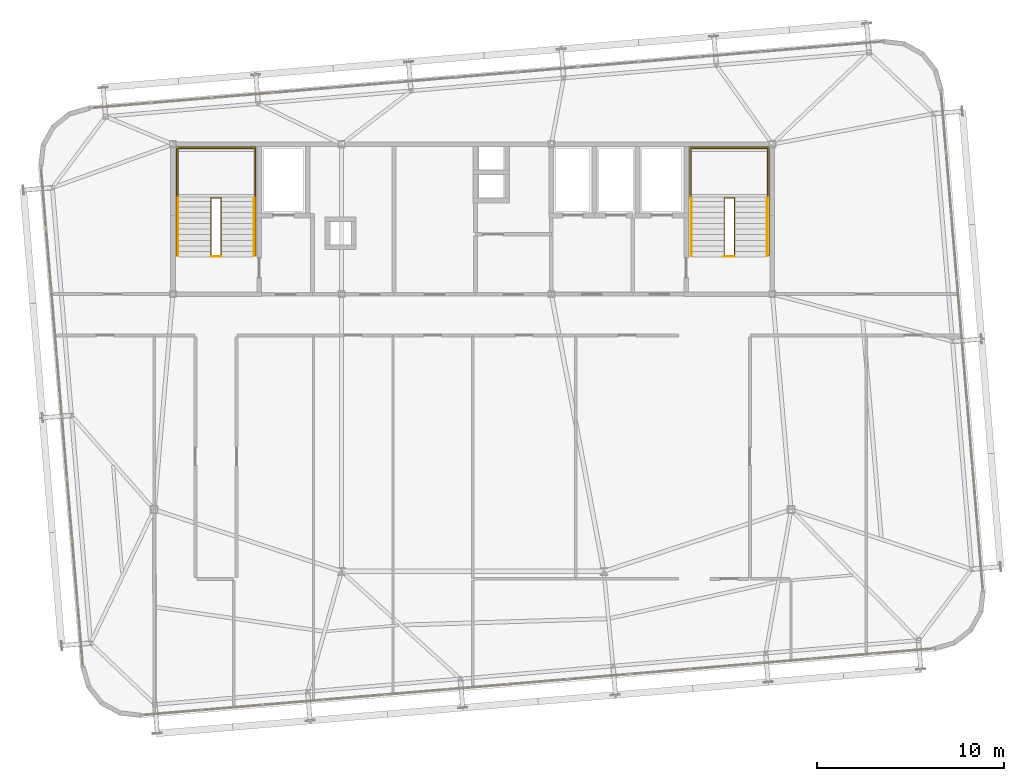
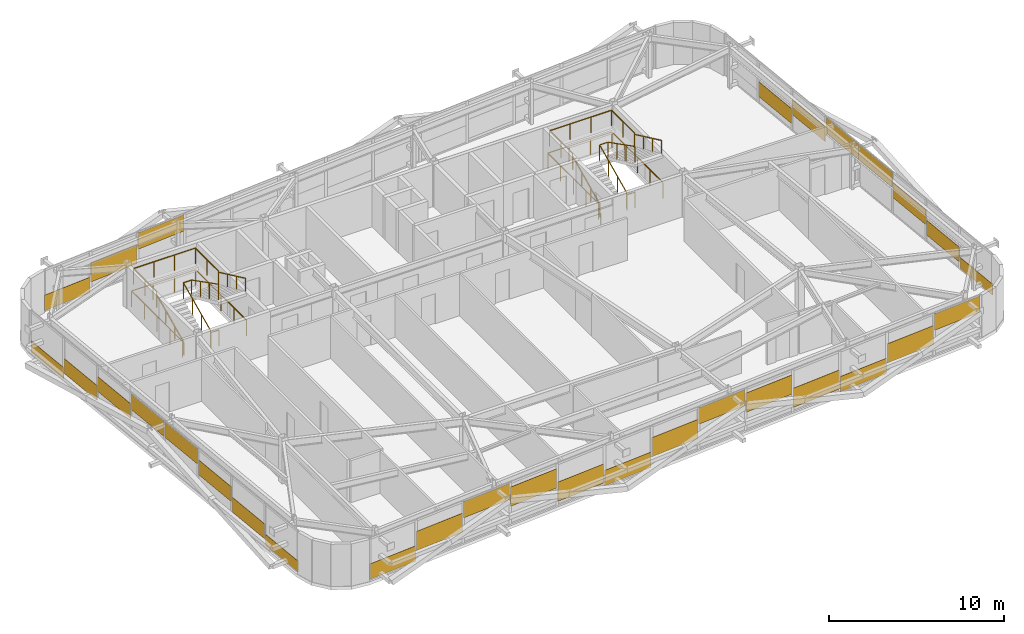
# One storey, part 43 of 44: 31 coverings, 12 railings.
"""IFC4 building model written with IfcOpenShell, lengths in metres."""

from ifc_helpers import new_model, si_unit, direction, frame, origin, origin_2d, place, context, subcontext, project, spatial, rectangle, extrude, source, transform, mapped, material, layer, layer_set, type_object, element, save


model = new_model("IFC4")

# Units and contexts
model_context = context("Model", 3, precision=1e-05, world=origin(), true_north=direction((0.0, 1.0)))
body_context = subcontext(model_context, "Body", "Model", "MODEL_VIEW")
ifc_project = project(units=[si_unit("LENGTHUNIT", "METRE"), si_unit("AREAUNIT", "SQUARE_METRE"), si_unit("VOLUMEUNIT", "CUBIC_METRE"), si_unit("PLANEANGLEUNIT", "RADIAN"), si_unit("MASSUNIT", "GRAM", prefix="KILO")], contexts=[model_context])

# Site, building, storey
site_placement = place(None, origin())
site = spatial("IfcSite", under=ifc_project, at=site_placement, CompositionType="ELEMENT")
building_placement = place(site_placement, origin())
building = spatial("IfcBuilding", under=site, at=building_placement, Name="Taldren Reach Tower", CompositionType="ELEMENT")
storey_placement = place(building_placement, frame((0.0, 0.0, 191.449951171875)))
storey = spatial("IfcBuildingStorey", under=building, at=storey_placement, Name="L58", CompositionType="ELEMENT", Elevation=191.449951171875)

# Railings
ifc_material_1 = material(Name="Steel Gr 350 (C350L0)", Category="steel")
ifc_layer_1 = layer(ifc_material_1, 0.050048828125)
ifc_layer_set_1 = layer_set([ifc_layer_1], Name="Steel Gr 350 (C350L0)")
railing_type_1 = type_object("IfcRailingType", Name="RL-STAIR-GR", PredefinedType="GUARDRAIL", material=ifc_layer_set_1)
railing_1_placement = place(storey_placement, frame((19.260009765625, 29.135009765625, 1.574951171875)))
element("IfcRailing", 1, at=railing_1_placement, inside=storey, type_object=railing_type_1, Name="Stair half-landing perimeter guard ST1-L58", PredefinedType="GUARDRAIL", context=body_context, shape_type="SweptSolid", body=[
    extrude(rectangle(XDim=0.047852, YDim=0.047852, at=origin_2d()), frame((0.0, 0.0, 1.09619140625), z_axis=(0.0, 1.0, 0.0), x_axis=(-1.0, 0.0, 0.0)), (0.0, 0.0, 1.0), 2.64501953125),
    extrude(rectangle(XDim=0.047852, YDim=0.047852, at=origin_2d()), frame((0.0, 2.64501953125, 1.09619140625), z_axis=(1.0, 0.0, 0.0), x_axis=(0.0, 1.0, 0.0)), (0.0, 0.0, 1.0), 4.080078125),
    extrude(rectangle(XDim=0.047852, YDim=0.047852, at=origin_2d()), frame((4.080078125, 2.64501953125, 1.09619140625), z_axis=(0.0, -1.0, 0.0), x_axis=(1.0, 0.0, 0.0)), (0.0, 0.0, 1.0), 2.64501953125),
    extrude(rectangle(XDim=0.041992, YDim=0.041992, at=origin_2d()), origin(), (0.0, 0.0, 1.0), 1.072021484375),
    extrude(rectangle(XDim=0.041992, YDim=0.041992, at=origin_2d()), frame((0.0, 1.322509765625, 0.0)), (0.0, 0.0, 1.0), 1.072021484375),
    extrude(rectangle(XDim=0.041992, YDim=0.041992, at=origin_2d()), frame((0.0, 2.64501953125, 0.0)), (0.0, 0.0, 1.0), 1.072021484375),
    extrude(rectangle(XDim=0.041992, YDim=0.041992, at=origin_2d()), frame((1.360107421875, 2.64501953125, 0.0)), (0.0, 0.0, 1.0), 1.072021484375),
    extrude(rectangle(XDim=0.041992, YDim=0.041992, at=origin_2d()), frame((2.719970703125, 2.64501953125, 0.0)), (0.0, 0.0, 1.0), 1.072021484375),
    extrude(rectangle(XDim=0.041992, YDim=0.041992, at=origin_2d()), frame((4.080078125, 2.64501953125, 0.0)), (0.0, 0.0, 1.0), 1.072021484375),
    extrude(rectangle(XDim=0.041992, YDim=0.041992, at=origin_2d()), frame((4.080078125, 1.322509765625, 0.0)), (0.0, 0.0, 1.0), 1.072021484375),
    extrude(rectangle(XDim=0.041992, YDim=0.041992, at=origin_2d()), frame((4.080078125, 0.0, 0.0)), (0.0, 0.0, 1.0), 1.072021484375),
])
railing_2_placement = place(storey_placement, frame((21.030029296875, 26.050048828125, 0.13134765625)))
element("IfcRailing", 2, at=railing_2_placement, inside=storey, type_object=railing_type_1, Name="Stairwell inner guard ST1-L58", PredefinedType="GUARDRAIL", context=body_context, shape_type="SweptSolid", body=[
    extrude(rectangle(XDim=0.047852, YDim=0.047852, at=origin_2d()), frame((0.0, 0.0, 1.09619140625), z_axis=(0.0, 0.905737652094, 0.423838773095), x_axis=(-1.0, 0.0, 0.0)), (0.0, 0.0, 1.0), 3.406005859375),
    extrude(rectangle(XDim=0.047852, YDim=0.047852, at=origin_2d()), frame((0.0, 3.0849609375, 2.53955078125), z_axis=(1.0, 0.0, 0.0), x_axis=(0.0, 1.0, 0.0)), (0.0, 0.0, 1.0), 0.5400390625),
    extrude(rectangle(XDim=0.047852, YDim=0.047852, at=origin_2d()), frame((0.5400390625, 3.0849609375, 2.53955078125), z_axis=(0.0, -0.890617412389, 0.454753366946), x_axis=(1.0, 0.0, 0.0)), (0.0, 0.0, 1.0), 3.4638671875),
    extrude(rectangle(XDim=0.041992, YDim=0.041992, at=origin_2d()), origin(), (0.0, 0.0, 1.0), 1.072021484375),
    extrude(rectangle(XDim=0.041992, YDim=0.041992, at=origin_2d()), frame((0.0, 1.0283203125, 0.481201171875)), (0.0, 0.0, 1.0), 1.072021484375),
    extrude(rectangle(XDim=0.041992, YDim=0.041992, at=origin_2d()), frame((0.0, 2.056640625, 0.96240234375)), (0.0, 0.0, 1.0), 1.072021484375),
    extrude(rectangle(XDim=0.041992, YDim=0.041992, at=origin_2d()), frame((0.0, 3.0849609375, 1.443603515625)), (0.0, 0.0, 1.0), 1.072021484375),
    extrude(rectangle(XDim=0.041992, YDim=0.041992, at=origin_2d()), frame((0.5400390625, 3.0849609375, 1.443603515625)), (0.0, 0.0, 1.0), 1.072021484375),
    extrude(rectangle(XDim=0.041992, YDim=0.041992, at=origin_2d()), frame((0.5400390625, 2.056640625, 1.96875)), (0.0, 0.0, 1.0), 1.072021484375),
    extrude(rectangle(XDim=0.041992, YDim=0.041992, at=origin_2d()), frame((0.5400390625, 1.0283203125, 2.49365234375)), (0.0, 0.0, 1.0), 1.072021484375),
    extrude(rectangle(XDim=0.041992, YDim=0.041992, at=origin_2d()), frame((0.5400390625, 0.0, 3.018798828125)), (0.0, 0.0, 1.0), 1.072021484375),
])
railing_3_placement = place(storey_placement, frame((21.030029296875, 26.010009765625, 0.0)))
element("IfcRailing", 3, at=railing_3_placement, inside=storey, type_object=railing_type_1, Name="Stairwell landing slot guard ST1-L58", PredefinedType="GUARDRAIL", context=body_context, shape_type="SweptSolid", body=[
    extrude(rectangle(XDim=0.047852, YDim=0.047852, at=origin_2d()), frame((0.0, 0.0, 1.09619140625), z_axis=(1.0, 0.0, 0.0), x_axis=(0.0, 1.0, 0.0)), (0.0, 0.0, 1.0), 0.5400390625),
    extrude(rectangle(XDim=0.041992, YDim=0.041992, at=origin_2d()), origin(), (0.0, 0.0, 1.0), 1.072021484375),
    extrude(rectangle(XDim=0.041992, YDim=0.041992, at=origin_2d()), frame((0.5400390625, 0.0, 0.0)), (0.0, 0.0, 1.0), 1.072021484375),
])
railing_4_placement = place(storey_placement, frame((19.18994140625, 26.050048828125, 0.0)))
element("IfcRailing", 4, at=railing_4_placement, inside=storey, type_object=railing_type_1, Name="Stairwell floor opening guard ST1-L58", PredefinedType="GUARDRAIL", context=body_context, shape_type="SweptSolid", body=[
    extrude(rectangle(XDim=0.047852, YDim=0.047852, at=origin_2d()), frame((0.0, 0.0, 1.09619140625), z_axis=(0.0, 1.0, 0.0), x_axis=(-1.0, 0.0, 0.0)), (0.0, 0.0, 1.0), 5.800048828125),
    extrude(rectangle(XDim=0.047852, YDim=0.047852, at=origin_2d()), frame((0.0, 5.800048828125, 1.09619140625), z_axis=(1.0, 0.0, 0.0), x_axis=(0.0, 1.0, 0.0)), (0.0, 0.0, 1.0), 4.219970703125),
    extrude(rectangle(XDim=0.047852, YDim=0.047852, at=origin_2d()), frame((4.219970703125, 5.800048828125, 1.09619140625), z_axis=(0.0, -1.0, 0.0), x_axis=(1.0, 0.0, 0.0)), (0.0, 0.0, 1.0), 5.800048828125),
    extrude(rectangle(XDim=0.041992, YDim=0.041992, at=origin_2d()), origin(), (0.0, 0.0, 1.0), 1.072021484375),
    extrude(rectangle(XDim=0.041992, YDim=0.041992, at=origin_2d()), frame((0.0, 1.449951171875, 0.0)), (0.0, 0.0, 1.0), 1.072021484375),
    extrude(rectangle(XDim=0.041992, YDim=0.041992, at=origin_2d()), frame((0.0, 2.89990234375, 0.0)), (0.0, 0.0, 1.0), 1.072021484375),
    extrude(rectangle(XDim=0.041992, YDim=0.041992, at=origin_2d()), frame((0.0, 4.35009765625, 0.0)), (0.0, 0.0, 1.0), 1.072021484375),
    extrude(rectangle(XDim=0.041992, YDim=0.041992, at=origin_2d()), frame((0.0, 5.800048828125, 0.0)), (0.0, 0.0, 1.0), 1.072021484375),
    extrude(rectangle(XDim=0.041992, YDim=0.041992, at=origin_2d()), frame((1.40673828125, 5.800048828125, 0.0)), (0.0, 0.0, 1.0), 1.072021484375),
    extrude(rectangle(XDim=0.041992, YDim=0.041992, at=origin_2d()), frame((2.813232421875, 5.800048828125, 0.0)), (0.0, 0.0, 1.0), 1.072021484375),
    extrude(rectangle(XDim=0.041992, YDim=0.041992, at=origin_2d()), frame((4.219970703125, 5.800048828125, 0.0)), (0.0, 0.0, 1.0), 1.072021484375),
    extrude(rectangle(XDim=0.041992, YDim=0.041992, at=origin_2d()), frame((4.219970703125, 4.35009765625, 0.0)), (0.0, 0.0, 1.0), 1.072021484375),
    extrude(rectangle(XDim=0.041992, YDim=0.041992, at=origin_2d()), frame((4.219970703125, 2.89990234375, 0.0)), (0.0, 0.0, 1.0), 1.072021484375),
    extrude(rectangle(XDim=0.041992, YDim=0.041992, at=origin_2d()), frame((4.219970703125, 1.449951171875, 0.0)), (0.0, 0.0, 1.0), 1.072021484375),
    extrude(rectangle(XDim=0.041992, YDim=0.041992, at=origin_2d()), frame((4.219970703125, 0.0, 0.0)), (0.0, 0.0, 1.0), 1.072021484375),
])
railing_5_placement = place(storey_placement, frame((46.659912109375, 29.135009765625, 1.574951171875)))
element("IfcRailing", 5, at=railing_5_placement, inside=storey, type_object=railing_type_1, Name="Stair half-landing perimeter guard ST2-L58", PredefinedType="GUARDRAIL", context=body_context, shape_type="SweptSolid", body=[
    extrude(rectangle(XDim=0.047852, YDim=0.047852, at=origin_2d()), frame((0.0, 0.0, 1.09619140625), z_axis=(0.0, 1.0, 0.0), x_axis=(-1.0, 0.0, 0.0)), (0.0, 0.0, 1.0), 2.64501953125),
    extrude(rectangle(XDim=0.047852, YDim=0.047852, at=origin_2d()), frame((0.0, 2.64501953125, 1.09619140625), z_axis=(1.0, 0.0, 0.0), x_axis=(0.0, 1.0, 0.0)), (0.0, 0.0, 1.0), 4.080078125),
    extrude(rectangle(XDim=0.047852, YDim=0.047852, at=origin_2d()), frame((4.080078125, 2.64501953125, 1.09619140625), z_axis=(0.0, -1.0, 0.0), x_axis=(1.0, 0.0, 0.0)), (0.0, 0.0, 1.0), 2.64501953125),
    extrude(rectangle(XDim=0.041992, YDim=0.041992, at=origin_2d()), origin(), (0.0, 0.0, 1.0), 1.072021484375),
    extrude(rectangle(XDim=0.041992, YDim=0.041992, at=origin_2d()), frame((0.0, 1.322509765625, 0.0)), (0.0, 0.0, 1.0), 1.072021484375),
    extrude(rectangle(XDim=0.041992, YDim=0.041992, at=origin_2d()), frame((0.0, 2.64501953125, 0.0)), (0.0, 0.0, 1.0), 1.072021484375),
    extrude(rectangle(XDim=0.041992, YDim=0.041992, at=origin_2d()), frame((1.360107421875, 2.64501953125, 0.0)), (0.0, 0.0, 1.0), 1.072021484375),
    extrude(rectangle(XDim=0.041992, YDim=0.041992, at=origin_2d()), frame((2.719970703125, 2.64501953125, 0.0)), (0.0, 0.0, 1.0), 1.072021484375),
    extrude(rectangle(XDim=0.041992, YDim=0.041992, at=origin_2d()), frame((4.080078125, 2.64501953125, 0.0)), (0.0, 0.0, 1.0), 1.072021484375),
    extrude(rectangle(XDim=0.041992, YDim=0.041992, at=origin_2d()), frame((4.080078125, 1.322509765625, 0.0)), (0.0, 0.0, 1.0), 1.072021484375),
    extrude(rectangle(XDim=0.041992, YDim=0.041992, at=origin_2d()), frame((4.080078125, 0.0, 0.0)), (0.0, 0.0, 1.0), 1.072021484375),
])
railing_6_placement = place(storey_placement, frame((48.429931640625, 26.050048828125, 0.13134765625)))
element("IfcRailing", 6, at=railing_6_placement, inside=storey, type_object=railing_type_1, Name="Stairwell inner guard ST2-L58", PredefinedType="GUARDRAIL", context=body_context, shape_type="SweptSolid", body=[
    extrude(rectangle(XDim=0.047852, YDim=0.047852, at=origin_2d()), frame((0.0, 0.0, 1.09619140625), z_axis=(0.0, 0.905737652094, 0.423838773095), x_axis=(-1.0, 0.0, 0.0)), (0.0, 0.0, 1.0), 3.406005859375),
    extrude(rectangle(XDim=0.047852, YDim=0.047852, at=origin_2d()), frame((0.0, 3.0849609375, 2.53955078125), z_axis=(1.0, 0.0, 0.0), x_axis=(0.0, 1.0, 0.0)), (0.0, 0.0, 1.0), 0.5400390625),
    extrude(rectangle(XDim=0.047852, YDim=0.047852, at=origin_2d()), frame((0.5400390625, 3.0849609375, 2.53955078125), z_axis=(0.0, -0.890617412389, 0.454753366946), x_axis=(1.0, 0.0, 0.0)), (0.0, 0.0, 1.0), 3.4638671875),
    extrude(rectangle(XDim=0.041992, YDim=0.041992, at=origin_2d()), origin(), (0.0, 0.0, 1.0), 1.072021484375),
    extrude(rectangle(XDim=0.041992, YDim=0.041992, at=origin_2d()), frame((0.0, 1.0283203125, 0.481201171875)), (0.0, 0.0, 1.0), 1.072021484375),
    extrude(rectangle(XDim=0.041992, YDim=0.041992, at=origin_2d()), frame((0.0, 2.056640625, 0.96240234375)), (0.0, 0.0, 1.0), 1.072021484375),
    extrude(rectangle(XDim=0.041992, YDim=0.041992, at=origin_2d()), frame((0.0, 3.0849609375, 1.443603515625)), (0.0, 0.0, 1.0), 1.072021484375),
    extrude(rectangle(XDim=0.041992, YDim=0.041992, at=origin_2d()), frame((0.5400390625, 3.0849609375, 1.443603515625)), (0.0, 0.0, 1.0), 1.072021484375),
    extrude(rectangle(XDim=0.041992, YDim=0.041992, at=origin_2d()), frame((0.5400390625, 2.056640625, 1.96875)), (0.0, 0.0, 1.0), 1.072021484375),
    extrude(rectangle(XDim=0.041992, YDim=0.041992, at=origin_2d()), frame((0.5400390625, 1.0283203125, 2.49365234375)), (0.0, 0.0, 1.0), 1.072021484375),
    extrude(rectangle(XDim=0.041992, YDim=0.041992, at=origin_2d()), frame((0.5400390625, 0.0, 3.018798828125)), (0.0, 0.0, 1.0), 1.072021484375),
])
railing_7_placement = place(storey_placement, frame((48.429931640625, 26.010009765625, 0.0)))
element("IfcRailing", 7, at=railing_7_placement, inside=storey, type_object=railing_type_1, Name="Stairwell landing slot guard ST2-L58", PredefinedType="GUARDRAIL", context=body_context, shape_type="SweptSolid", body=[
    extrude(rectangle(XDim=0.047852, YDim=0.047852, at=origin_2d()), frame((0.0, 0.0, 1.09619140625), z_axis=(1.0, 0.0, 0.0), x_axis=(0.0, 1.0, 0.0)), (0.0, 0.0, 1.0), 0.5400390625),
    extrude(rectangle(XDim=0.041992, YDim=0.041992, at=origin_2d()), origin(), (0.0, 0.0, 1.0), 1.072021484375),
    extrude(rectangle(XDim=0.041992, YDim=0.041992, at=origin_2d()), frame((0.5400390625, 0.0, 0.0)), (0.0, 0.0, 1.0), 1.072021484375),
])
railing_8_placement = place(storey_placement, frame((46.590087890625, 26.050048828125, 0.0)))
element("IfcRailing", 8, at=railing_8_placement, inside=storey, type_object=railing_type_1, Name="Stairwell floor opening guard ST2-L58", PredefinedType="GUARDRAIL", context=body_context, shape_type="SweptSolid", body=[
    extrude(rectangle(XDim=0.047852, YDim=0.047852, at=origin_2d()), frame((0.0, 0.0, 1.09619140625), z_axis=(0.0, 1.0, 0.0), x_axis=(-1.0, 0.0, 0.0)), (0.0, 0.0, 1.0), 5.800048828125),
    extrude(rectangle(XDim=0.047852, YDim=0.047852, at=origin_2d()), frame((0.0, 5.800048828125, 1.09619140625), z_axis=(1.0, 0.0, 0.0), x_axis=(0.0, 1.0, 0.0)), (0.0, 0.0, 1.0), 4.219970703125),
    extrude(rectangle(XDim=0.047852, YDim=0.047852, at=origin_2d()), frame((4.219970703125, 5.800048828125, 1.09619140625), z_axis=(0.0, -1.0, 0.0), x_axis=(1.0, 0.0, 0.0)), (0.0, 0.0, 1.0), 5.800048828125),
    extrude(rectangle(XDim=0.041992, YDim=0.041992, at=origin_2d()), origin(), (0.0, 0.0, 1.0), 1.072021484375),
    extrude(rectangle(XDim=0.041992, YDim=0.041992, at=origin_2d()), frame((0.0, 1.449951171875, 0.0)), (0.0, 0.0, 1.0), 1.072021484375),
    extrude(rectangle(XDim=0.041992, YDim=0.041992, at=origin_2d()), frame((0.0, 2.89990234375, 0.0)), (0.0, 0.0, 1.0), 1.072021484375),
    extrude(rectangle(XDim=0.041992, YDim=0.041992, at=origin_2d()), frame((0.0, 4.35009765625, 0.0)), (0.0, 0.0, 1.0), 1.072021484375),
    extrude(rectangle(XDim=0.041992, YDim=0.041992, at=origin_2d()), frame((0.0, 5.800048828125, 0.0)), (0.0, 0.0, 1.0), 1.072021484375),
    extrude(rectangle(XDim=0.041992, YDim=0.041992, at=origin_2d()), frame((1.40673828125, 5.800048828125, 0.0)), (0.0, 0.0, 1.0), 1.072021484375),
    extrude(rectangle(XDim=0.041992, YDim=0.041992, at=origin_2d()), frame((2.813232421875, 5.800048828125, 0.0)), (0.0, 0.0, 1.0), 1.072021484375),
    extrude(rectangle(XDim=0.041992, YDim=0.041992, at=origin_2d()), frame((4.219970703125, 5.800048828125, 0.0)), (0.0, 0.0, 1.0), 1.072021484375),
    extrude(rectangle(XDim=0.041992, YDim=0.041992, at=origin_2d()), frame((4.219970703125, 4.35009765625, 0.0)), (0.0, 0.0, 1.0), 1.072021484375),
    extrude(rectangle(XDim=0.041992, YDim=0.041992, at=origin_2d()), frame((4.219970703125, 2.89990234375, 0.0)), (0.0, 0.0, 1.0), 1.072021484375),
    extrude(rectangle(XDim=0.041992, YDim=0.041992, at=origin_2d()), frame((4.219970703125, 1.449951171875, 0.0)), (0.0, 0.0, 1.0), 1.072021484375),
    extrude(rectangle(XDim=0.041992, YDim=0.041992, at=origin_2d()), frame((4.219970703125, 0.0, 0.0)), (0.0, 0.0, 1.0), 1.072021484375),
])
ifc_material_2 = material(Name="Stainless Steel Gr 316", Category="steel")
ifc_layer_2 = layer(ifc_material_2, 0.048095703125)
ifc_layer_set_2 = layer_set([ifc_layer_2], Name="Stainless Steel Gr 316")
railing_type_2 = type_object("IfcRailingType", Name="RL-STAIR-HR", PredefinedType="HANDRAIL", material=ifc_layer_set_2)
railing_9_placement = place(storey_placement, frame((19.27001953125, 26.050048828125, 0.13134765625)))
element("IfcRailing", 9, at=railing_9_placement, inside=storey, type_object=railing_type_2, Name="Stair flight handrail ST1-L58-1", PredefinedType="HANDRAIL", context=body_context, shape_type="SweptSolid", body=[
    extrude(rectangle(XDim=0.047852, YDim=0.047852, at=origin_2d()), frame((0.0, 0.0, 0.89599609375), z_axis=(0.0, 0.905737652094, 0.423838773095), x_axis=(-1.0, 0.0, 0.0)), (0.0, 0.0, 1.0), 3.406005859375),
    extrude(rectangle(XDim=0.041992, YDim=0.041992, at=origin_2d()), origin(), (0.0, 0.0, 1.0), 0.871826171875),
    extrude(rectangle(XDim=0.041992, YDim=0.041992, at=origin_2d()), frame((0.0, 1.0283203125, 0.481201171875)), (0.0, 0.0, 1.0), 0.871826171875),
    extrude(rectangle(XDim=0.041992, YDim=0.041992, at=origin_2d()), frame((0.0, 2.056640625, 0.96240234375)), (0.0, 0.0, 1.0), 0.871826171875),
    extrude(rectangle(XDim=0.041992, YDim=0.041992, at=origin_2d()), frame((0.0, 3.0849609375, 1.443603515625)), (0.0, 0.0, 1.0), 0.871826171875),
])
railing_10_placement = place(storey_placement, frame((23.330078125, 29.135009765625, 1.706298828125)))
element("IfcRailing", 10, at=railing_10_placement, inside=storey, type_object=railing_type_2, Name="Stair flight handrail ST1-L58-2", PredefinedType="HANDRAIL", context=body_context, shape_type="SweptSolid", body=[
    extrude(rectangle(XDim=0.047852, YDim=0.047852, at=origin_2d()), frame((0.0, 0.0, 0.89599609375), z_axis=(0.0, -0.905710134349, 0.423897573167), x_axis=(1.0, 0.0, 0.0)), (0.0, 0.0, 1.0), 3.406005859375),
    extrude(rectangle(XDim=0.041992, YDim=0.041992, at=origin_2d()), origin(), (0.0, 0.0, 1.0), 0.871826171875),
    extrude(rectangle(XDim=0.041992, YDim=0.041992, at=origin_2d()), frame((0.0, -1.0283203125, 0.481201171875)), (0.0, 0.0, 1.0), 0.871826171875),
    extrude(rectangle(XDim=0.041992, YDim=0.041992, at=origin_2d()), frame((0.0, -2.056640625, 0.962646484375)), (0.0, 0.0, 1.0), 0.871826171875),
    extrude(rectangle(XDim=0.041992, YDim=0.041992, at=origin_2d()), frame((0.0, -3.0849609375, 1.44384765625)), (0.0, 0.0, 1.0), 0.871826171875),
])
railing_11_placement = place(storey_placement, frame((46.669921875, 26.050048828125, 0.13134765625)))
element("IfcRailing", 11, at=railing_11_placement, inside=storey, type_object=railing_type_2, Name="Stair flight handrail ST2-L58-1", PredefinedType="HANDRAIL", context=body_context, shape_type="SweptSolid", body=[
    extrude(rectangle(XDim=0.047852, YDim=0.047852, at=origin_2d()), frame((0.0, 0.0, 0.89599609375), z_axis=(0.0, 0.905737652094, 0.423838773095), x_axis=(-1.0, 0.0, 0.0)), (0.0, 0.0, 1.0), 3.406005859375),
    extrude(rectangle(XDim=0.041992, YDim=0.041992, at=origin_2d()), origin(), (0.0, 0.0, 1.0), 0.871826171875),
    extrude(rectangle(XDim=0.041992, YDim=0.041992, at=origin_2d()), frame((0.0, 1.0283203125, 0.481201171875)), (0.0, 0.0, 1.0), 0.871826171875),
    extrude(rectangle(XDim=0.041992, YDim=0.041992, at=origin_2d()), frame((0.0, 2.056640625, 0.96240234375)), (0.0, 0.0, 1.0), 0.871826171875),
    extrude(rectangle(XDim=0.041992, YDim=0.041992, at=origin_2d()), frame((0.0, 3.0849609375, 1.443603515625)), (0.0, 0.0, 1.0), 0.871826171875),
])
railing_12_placement = place(storey_placement, frame((50.72998046875, 29.135009765625, 1.706298828125)))
element("IfcRailing", 12, at=railing_12_placement, inside=storey, type_object=railing_type_2, Name="Stair flight handrail ST2-L58-2", PredefinedType="HANDRAIL", context=body_context, shape_type="SweptSolid", body=[
    extrude(rectangle(XDim=0.047852, YDim=0.047852, at=origin_2d()), frame((0.0, 0.0, 0.89599609375), z_axis=(0.0, -0.905710134349, 0.423897573167), x_axis=(1.0, 0.0, 0.0)), (0.0, 0.0, 1.0), 3.406005859375),
    extrude(rectangle(XDim=0.041992, YDim=0.041992, at=origin_2d()), origin(), (0.0, 0.0, 1.0), 0.871826171875),
    extrude(rectangle(XDim=0.041992, YDim=0.041992, at=origin_2d()), frame((0.0, -1.0283203125, 0.481201171875)), (0.0, 0.0, 1.0), 0.871826171875),
    extrude(rectangle(XDim=0.041992, YDim=0.041992, at=origin_2d()), frame((0.0, -2.056640625, 0.962646484375)), (0.0, 0.0, 1.0), 0.871826171875),
    extrude(rectangle(XDim=0.041992, YDim=0.041992, at=origin_2d()), frame((0.0, -3.0849609375, 1.44384765625)), (0.0, 0.0, 1.0), 0.871826171875),
])

# Coverings
ifc_material_3 = material(Name="Pale Champagne Fluoropolymer Aluminium Spandrel Cladding", Category="aluminium")
ifc_layer_3 = layer(ifc_material_3, 0.0439453125)
ifc_layer_set_3 = layer_set([ifc_layer_3], Name="Pale Champagne Fluoropolymer Aluminium Spandrel Cladding")
covering_type = type_object("IfcCoveringType", Name="CV-CLAD-044", PredefinedType="CLADDING", material=ifc_layer_set_3)
shared_shape_1 = source(origin(), body_context, "Body", "SweptSolid", [
    extrude(rectangle(XDim=3.164306640625, YDim=0.0439453125, at=origin_2d()), origin(), (0.0, 0.0, 1.0), 1.075927734375),
])
for number, where, z_axis, x_axis, name in (
    (13, (18.931396484375, 1.6572265625, 0.06005859375), (0.0, 0.0, 1.0), (0.996492854922, 0.083677894865, 0.0), "Diagrid closure cladding strip CW-5 panel 1.1 1"),
    (14, (16.210205078125, 34.06298828125, 0.06005859375), (0.0, 0.0, 1.0), (-0.99649285657, -0.083677875247, 0.0), "Diagrid closure cladding strip CW-5 panel 13.1 1"),
):
    element("IfcCovering", number, at=place(storey_placement, frame(where, z_axis=z_axis, x_axis=x_axis)), inside=storey, type_object=covering_type, Name=name, PredefinedType="CLADDING", context=body_context, shape_type="MappedRepresentation", body=[
        mapped(shared_shape_1, transform((0.0, 0.0, 0.0), scale=1.0)),
    ])
shared_shape_2 = source(origin(), body_context, "Body", "SweptSolid", [
    extrude(rectangle(XDim=3.19921875, YDim=0.0439453125, at=origin_2d()), origin(), (0.0, 0.0, 1.0), 1.3359375),
])
for number, where, z_axis, x_axis, name in (
    (15, (22.171875, 1.92919921875, 0.771240234375), (0.0, 0.0, 1.0), (0.996492854922, 0.083677894865, 0.0), "Diagrid closure cladding strip CW-5 panel 2.1 1"),
    (16, (28.687255859375, 2.476318359375, 1.250732421875), (0.0, 0.0, 1.0), (0.996492854922, 0.083677894865, 0.0), "Diagrid closure cladding strip CW-5 panel 4.1 1"),
    (17, (31.945068359375, 2.75, 0.279541015625), (0.0, 0.0, 1.0), (0.996492854922, 0.083677894865, 0.0), "Diagrid closure cladding strip CW-5 panel 5.1 1"),
    (18, (38.460693359375, 3.297119140625, 0.76708984375), (0.0, 0.0, 1.0), (0.996492854922, 0.083677894865, 0.0), "Diagrid closure cladding strip CW-5 panel 7.1 1"),
    (19, (44.97607421875, 3.84423828125, 1.254638671875), (0.0, 0.0, 1.0), (0.996492854922, 0.083677894865, 0.0), "Diagrid closure cladding strip CW-5 panel 9.1 1"),
    (20, (48.23388671875, 4.11767578125, 0.283447265625), (0.0, 0.0, 1.0), (0.996492854922, 0.083677894865, 0.0), "Diagrid closure cladding strip CW-5 panel 10.1 1"),
    (21, (54.74951171875, 4.664794921875, 0.762939453125), (0.0, 0.0, 1.0), (0.996492854922, 0.083677894865, 0.0), "Diagrid closure cladding strip CW-5 panel 12.1 1"),
    (22, (19.45068359375, 34.335205078125, 0.771240234375), (0.0, 0.0, 1.0), (-0.99649285657, -0.083677875247, 0.0), "Diagrid closure cladding strip CW-5 panel 12.1 1"),
):
    element("IfcCovering", number, at=place(storey_placement, frame(where, z_axis=z_axis, x_axis=x_axis)), inside=storey, type_object=covering_type, Name=name, PredefinedType="CLADDING", context=body_context, shape_type="MappedRepresentation", body=[
        mapped(shared_shape_2, transform((0.0, 0.0, 0.0), scale=1.0)),
    ])
shared_shape_3 = source(origin(), body_context, "Body", "SweptSolid", [
    extrude(rectangle(XDim=3.19921875, YDim=0.0439453125, at=origin_2d()), origin(), (0.0, 0.0, 1.0), 1.127685546875),
])
for number, where, z_axis, x_axis, name in (
    (23, (25.429443359375, 2.202880859375, 1.7421875), (0.0, 0.0, 1.0), (0.996492854922, 0.083677894865, 0.0), "Diagrid closure cladding strip CW-5 panel 3.1 1"),
    (24, (22.708251953125, 34.608642578125, 1.7421875), (0.0, 0.0, 1.0), (-0.99649285657, -0.083677875247, 0.0), "Diagrid closure cladding strip CW-5 panel 11.1 1"),
):
    element("IfcCovering", number, at=place(storey_placement, frame(where, z_axis=z_axis, x_axis=x_axis)), inside=storey, type_object=covering_type, Name=name, PredefinedType="CLADDING", context=body_context, shape_type="MappedRepresentation", body=[
        mapped(shared_shape_3, transform((0.0, 0.0, 0.0), scale=1.0)),
    ])
shared_shape_4 = source(origin(), body_context, "Body", "SweptSolid", [
    extrude(rectangle(XDim=3.19921875, YDim=0.0439453125, at=origin_2d()), origin(), (0.0, 0.0, 1.0), 1.07177734375),
])
covering_1_placement = place(storey_placement, frame((35.202880859375, 3.0234375, 0.06005859375), z_axis=(0.0, 0.0, 1.0), x_axis=(0.996492854922, 0.083677894865, 0.0)))
element("IfcCovering", 25, at=covering_1_placement, inside=storey, type_object=covering_type, Name="Diagrid closure cladding strip CW-5 panel 6.1 1", PredefinedType="CLADDING", context=body_context, shape_type="MappedRepresentation", body=[
    mapped(shared_shape_4, transform((0.0, 0.0, 0.0), scale=1.0)),
])
shared_shape_5 = source(origin(), body_context, "Body", "SweptSolid", [
    extrude(rectangle(XDim=3.19921875, YDim=0.0439453125, at=origin_2d()), origin(), (0.0, 0.0, 1.0), 1.1318359375),
])
covering_2_placement = place(storey_placement, frame((41.71826171875, 3.570556640625, 1.73828125), z_axis=(0.0, 0.0, 1.0), x_axis=(0.996492854922, 0.083677894865, 0.0)))
element("IfcCovering", 26, at=covering_2_placement, inside=storey, type_object=covering_type, Name="Diagrid closure cladding strip CW-5 panel 8.1 1", PredefinedType="CLADDING", context=body_context, shape_type="MappedRepresentation", body=[
    mapped(shared_shape_5, transform((0.0, 0.0, 0.0), scale=1.0)),
])
shared_shape_6 = source(origin(), body_context, "Body", "SweptSolid", [
    extrude(rectangle(XDim=3.19921875, YDim=0.0439453125, at=origin_2d()), origin(), (0.0, 0.0, 1.0), 1.067626953125),
])
covering_3_placement = place(storey_placement, frame((51.49169921875, 4.391357421875, 0.06005859375), z_axis=(0.0, 0.0, 1.0), x_axis=(0.996492854922, 0.083677894865, 0.0)))
element("IfcCovering", 27, at=covering_3_placement, inside=storey, type_object=covering_type, Name="Diagrid closure cladding strip CW-5 panel 11.1 1", PredefinedType="CLADDING", context=body_context, shape_type="MappedRepresentation", body=[
    mapped(shared_shape_6, transform((0.0, 0.0, 0.0), scale=1.0)),
])
shared_shape_7 = source(origin(), body_context, "Body", "SweptSolid", [
    extrude(rectangle(XDim=3.164306640625, YDim=0.0439453125, at=origin_2d()), origin(), (0.0, 0.0, 1.0), 1.135986328125),
])
covering_4_placement = place(storey_placement, frame((57.98974609375, 4.93701171875, 1.73388671875), z_axis=(0.0, 0.0, 1.0), x_axis=(0.996492854922, 0.083677894865, 0.0)))
element("IfcCovering", 28, at=covering_4_placement, inside=storey, type_object=covering_type, Name="Diagrid closure cladding strip CW-5 panel 13.1 1", PredefinedType="CLADDING", context=body_context, shape_type="MappedRepresentation", body=[
    mapped(shared_shape_7, transform((0.0, 0.0, 0.0), scale=1.0)),
])
shared_shape_8 = source(origin(), body_context, "Body", "SweptSolid", [
    extrude(rectangle(XDim=3.2451171875, YDim=0.0439453125, at=origin_2d()), origin(), (0.0, 0.0, 1.0), 0.769775390625),
])
for number, where, z_axis, x_axis, name in (
    (29, (12.094970703125, 29.14892578125, 0.06005859375), (0.0, 0.0, 1.0), (0.083677979808, -0.996492847789, 0.0), "Diagrid closure cladding strip CW-5 panel 1.1 1"),
    (30, (14.05419921875, 5.816162109375, 0.06005859375), (0.0, 0.0, 1.0), (0.083677979808, -0.996492847789, 0.0), "Diagrid closure cladding strip CW-5 panel 8.1 1"),
    (31, (62.105224609375, 9.85107421875, 0.06005859375), (0.0, 0.0, 1.0), (-0.083677979808, 0.996492847789, 0.0), "Diagrid closure cladding strip CW-5 panel 1.1 1"),
):
    element("IfcCovering", number, at=place(storey_placement, frame(where, z_axis=z_axis, x_axis=x_axis)), inside=storey, type_object=covering_type, Name=name, PredefinedType="CLADDING", context=body_context, shape_type="MappedRepresentation", body=[
        mapped(shared_shape_8, transform((0.0, 0.0, 0.0), scale=1.0)),
    ])
shared_shape_9 = source(origin(), body_context, "Body", "SweptSolid", [
    extrude(rectangle(XDim=3.280029296875, YDim=0.0439453125, at=origin_2d()), origin(), (0.0, 0.0, 1.0), 1.0302734375),
])
for number, where, z_axis, x_axis, name in (
    (32, (12.373779296875, 25.828125, 0.466796875), (0.0, 0.0, 1.0), (0.083677979808, -0.996492847789, 0.0), "Diagrid closure cladding strip CW-5 panel 2.1 1"),
    (33, (12.654052734375, 22.489990234375, 1.134033203125), (0.0, 0.0, 1.0), (0.083677979808, -0.996492847789, 0.0), "Diagrid closure cladding strip CW-5 panel 3.1 1"),
    (34, (13.4951171875, 12.47509765625, 1.134033203125), (0.0, 0.0, 1.0), (0.083677979808, -0.996492847789, 0.0), "Diagrid closure cladding strip CW-5 panel 6.1 1"),
    (35, (13.775390625, 9.136962890625, 0.466796875), (0.0, 0.0, 1.0), (0.083677979808, -0.996492847789, 0.0), "Diagrid closure cladding strip CW-5 panel 7.1 1"),
    (36, (61.826171875, 13.171875, 0.466796875), (0.0, 0.0, 1.0), (-0.083677979808, 0.996492847789, 0.0), "Diagrid closure cladding strip CW-5 panel 2.1 1"),
    (37, (61.5458984375, 16.510009765625, 1.134033203125), (0.0, 0.0, 1.0), (-0.083677979808, 0.996492847789, 0.0), "Diagrid closure cladding strip CW-5 panel 3.1 1"),
    (38, (60.705078125, 26.52490234375, 1.134033203125), (0.0, 0.0, 1.0), (-0.083677979808, 0.996492847789, 0.0), "Diagrid closure cladding strip CW-5 panel 6.1 1"),
    (39, (60.424560546875, 29.863037109375, 0.466796875), (0.0, 0.0, 1.0), (-0.083677979808, 0.996492847789, 0.0), "Diagrid closure cladding strip CW-5 panel 7.1 1"),
):
    element("IfcCovering", number, at=place(storey_placement, frame(where, z_axis=z_axis, x_axis=x_axis)), inside=storey, type_object=covering_type, Name=name, PredefinedType="CLADDING", context=body_context, shape_type="MappedRepresentation", body=[
        mapped(shared_shape_9, transform((0.0, 0.0, 0.0), scale=1.0)),
    ])
shared_shape_10 = source(origin(), body_context, "Body", "SweptSolid", [
    extrude(rectangle(XDim=3.280029296875, YDim=0.0439453125, at=origin_2d()), origin(), (0.0, 0.0, 1.0), 1.06884765625),
])
for number, where, z_axis, x_axis, name in (
    (40, (12.934326171875, 19.151611328125, 1.80126953125), (0.0, 0.0, 1.0), (0.083677979808, -0.996492847789, 0.0), "Diagrid closure cladding strip CW-5 panel 4.1 1"),
    (41, (13.214599609375, 15.8134765625, 1.80126953125), (0.0, 0.0, 1.0), (0.083677979808, -0.996492847789, 0.0), "Diagrid closure cladding strip CW-5 panel 5.1 1"),
    (42, (61.265625, 19.848388671875, 1.80126953125), (0.0, 0.0, 1.0), (-0.083677979808, 0.996492847789, 0.0), "Diagrid closure cladding strip CW-5 panel 4.1 1"),
    (43, (60.9853515625, 23.1865234375, 1.80126953125), (0.0, 0.0, 1.0), (-0.083677979808, 0.996492847789, 0.0), "Diagrid closure cladding strip CW-5 panel 5.1 1"),
):
    element("IfcCovering", number, at=place(storey_placement, frame(where, z_axis=z_axis, x_axis=x_axis)), inside=storey, type_object=covering_type, Name=name, PredefinedType="CLADDING", context=body_context, shape_type="MappedRepresentation", body=[
        mapped(shared_shape_10, transform((0.0, 0.0, 0.0), scale=1.0)),
    ])

save(model, "model.ifc")
